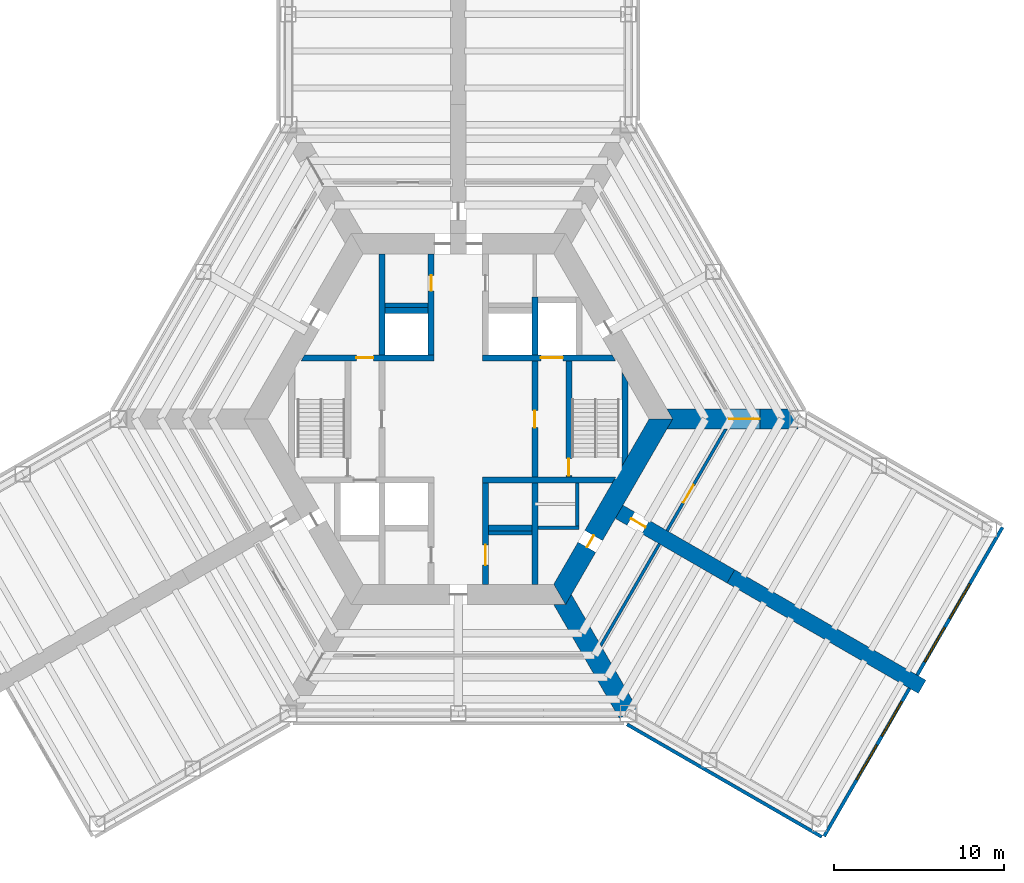
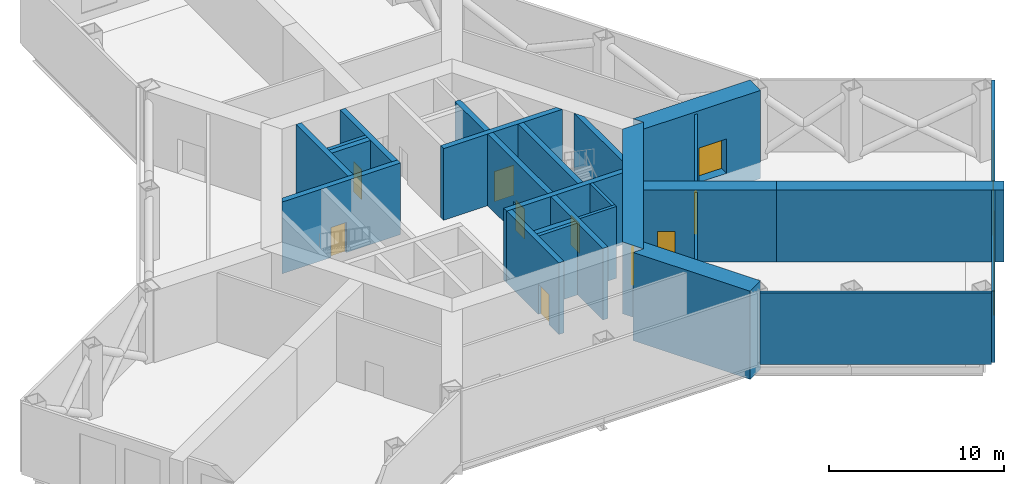
# One storey, part 5 of 8: 27 walls, 10 doors, 4 windows, 14 openings.
"""IFC4 building model written with IfcOpenShell, lengths in metres."""

import ifcopenshell
import ifcopenshell.guid

model = None  # the IFC model being written
_history = None  # IfcOwnerHistory: only IFC2X3 demands one
_inside = {}  # id of a spatial element -> (the spatial element, [elements in it])
_under = {}  # id of a project, library or spatial element -> (it, [spatial elements below it])
_declared = {}  # id of a project -> (the project, [libraries it declares])
_typed = {}  # id of a type object -> (the type object, [elements of that type])
_made_of = {}  # id of a material, layer set ... -> (it, [elements and type objects made of it])


def new_model(schema):
    """Start an empty IFC model of exactly this schema.

    Asked for "IFC4X3", IfcOpenShell would pick the latest addendum, in which some entities
    have other attributes; the version numbers below select the first issue.
    IFC2X3 requires an IfcOwnerHistory on every rooted entity: one is made here for all.
    """
    global model, _history
    if schema == "IFC4X3":
        model = ifcopenshell.file(schema_version=(4, 3, 0, 0))
    else:
        model = ifcopenshell.file(schema=schema)
    _inside.clear()
    _under.clear()
    _declared.clear()
    _typed.clear()
    _made_of.clear()
    _history = None
    if model.schema == "IFC2X3":
        org = make("IfcOrganization", Name="unknown")
        user = make(
            "IfcPersonAndOrganization",
            ThePerson=make("IfcPerson", FamilyName="unknown"),
            TheOrganization=org,
        )
        app = make(
            "IfcApplication",
            ApplicationDeveloper=org,
            Version="unknown",
            ApplicationFullName="unknown",
            ApplicationIdentifier="unknown",
        )
        _history = make(
            "IfcOwnerHistory",
            OwningUser=user,
            OwningApplication=app,
            ChangeAction="ADDED",
            CreationDate=0,
        )
    return model


def make(cls, **values):
    """One entity of the class cls with the attributes given. An attribute that is None is left unset."""
    return model.create_entity(
        cls, **{name: value for name, value in values.items() if value is not None}
    )


def rooted(cls, **values):
    """An entity with a GlobalId (a new one), such as an element, a storey or a relation."""
    return make(cls, GlobalId=ifcopenshell.guid.new(), OwnerHistory=_history, **values)


def si_unit(unit_type, name, prefix=None):
    """IfcSIUnit, for example si_unit("LENGTHUNIT", "METRE", prefix="MILLI")."""
    return make("IfcSIUnit", UnitType=unit_type, Prefix=prefix, Name=name)


def assignment(units):
    """IfcUnitAssignment: the units of a project."""
    return None if units is None else make("IfcUnitAssignment", Units=units)


def point(xyz):
    """IfcCartesianPoint."""
    return None if xyz is None else make("IfcCartesianPoint", Coordinates=xyz)


def direction(xyz):
    """IfcDirection."""
    return None if xyz is None else make("IfcDirection", DirectionRatios=xyz)


def frame(location, z_axis=None, x_axis=None):
    """IfcAxis2Placement3D, a coordinate frame: its origin and axes. An axis left out is left unset."""
    return make(
        "IfcAxis2Placement3D",
        Location=point(location),
        Axis=direction(z_axis),
        RefDirection=direction(x_axis),
    )


def frame_2d(location, x_axis=None):
    """IfcAxis2Placement2D, a coordinate frame in the plane: its origin and x axis."""
    return make(
        "IfcAxis2Placement2D", Location=point(location), RefDirection=direction(x_axis)
    )


def origin():
    """The frame at (0, 0, 0) with its axes left unset."""
    return frame((0.0, 0.0, 0.0))


def place(relative_to, where):
    """IfcLocalPlacement: puts the frame where relative to a parent placement (None: the world)."""
    return make(
        "IfcLocalPlacement", PlacementRelTo=relative_to, RelativePlacement=where
    )


def context(
    kind, dimensions, precision=None, world=None, true_north=None, identifier=None
):
    """IfcGeometricRepresentationContext, for example the 3D "Model" context."""
    return make(
        "IfcGeometricRepresentationContext",
        ContextIdentifier=identifier,
        ContextType=kind,
        CoordinateSpaceDimension=dimensions,
        Precision=precision,
        WorldCoordinateSystem=world,
        TrueNorth=true_north,
    )


def subcontext(parent, identifier, kind, view, scale=None):
    """IfcGeometricRepresentationSubContext, for example "Body" below "Model"."""
    return make(
        "IfcGeometricRepresentationSubContext",
        ContextIdentifier=identifier,
        ContextType=kind,
        ParentContext=parent,
        TargetScale=scale,
        TargetView=view,
    )


def project(units=None, contexts=None):
    """IfcProject with its units and contexts."""
    return rooted(
        "IfcProject",
        Name="project",
        RepresentationContexts=contexts,
        UnitsInContext=assignment(units),
    )


def spatial(cls, under=None, at=None, **own):
    """A site, building, storey or space (cls), placed at a placement, below another one or the project."""
    s = rooted(cls, ObjectPlacement=at, **own)
    if under is not None:
        _under.setdefault(under.id(), (under, []))[1].append(s)
    return s


def polyline(points):
    """IfcPolyline through the points."""
    return make("IfcPolyline", Points=[point(p) for p in points])


def profile(cls, at=None, kind="AREA", **sizes):
    """A parametric profile (cls). Its sizes go by their IFC names, for example OverallWidth=200.0."""
    return make(cls, ProfileType=kind, Position=at, **sizes)


def rectangle(**sizes):
    """IfcRectangleProfileDef."""
    return profile("IfcRectangleProfileDef", **sizes)


def outline(outer, holes=None, kind="AREA"):
    """IfcArbitraryClosedProfileDef: a profile drawn as a closed curve; with holes, ...WithVoids."""
    if holes is None:
        return make("IfcArbitraryClosedProfileDef", ProfileType=kind, OuterCurve=outer)
    return make(
        "IfcArbitraryProfileDefWithVoids",
        ProfileType=kind,
        OuterCurve=outer,
        InnerCurves=holes,
    )


def extrude(swept, where, along, depth):
    """IfcExtrudedAreaSolid: the profile swept, set in the frame where, extruded along a direction by depth."""
    return make(
        "IfcExtrudedAreaSolid",
        SweptArea=swept,
        Position=where,
        ExtrudedDirection=direction(along),
        Depth=depth,
    )


def shape(context_of_items, identifier, shape_type, items):
    """IfcShapeRepresentation: the items that make up one representation, for example the "Body"."""
    return make(
        "IfcShapeRepresentation",
        ContextOfItems=context_of_items,
        RepresentationIdentifier=identifier,
        RepresentationType=shape_type,
        Items=items,
    )


def material(Name=None, Category=None):
    """IfcMaterial."""
    return make("IfcMaterial", Name=Name, Category=Category)


def layer(
    of_material, thickness, ventilated=None, Name=None, Category=None, Priority=None
):
    """IfcMaterialLayer: one layer of a wall or slab, of a material (None: an air gap)."""
    return make(
        "IfcMaterialLayer",
        Material=of_material,
        LayerThickness=thickness,
        IsVentilated=ventilated,
        Name=Name,
        Category=Category,
        Priority=Priority,
    )


def layer_set(layers, Name=None):
    """IfcMaterialLayerSet."""
    return make("IfcMaterialLayerSet", MaterialLayers=layers, LayerSetName=Name)


def made_of(thing, what):
    """Note that an element or type object is made of a material, layer set ...; save() writes the relation."""
    if what is not None:
        _made_of.setdefault(what.id(), (what, []))[1].append(thing)
    return thing


def type_object(cls, material=None, **own):
    """A type object (cls), such as IfcWallType, which elements share."""
    return made_of(rooted(cls, **own), material)


def element(
    cls,
    number,
    at=None,
    inside=None,
    cuts=None,
    type_object=None,
    material=None,
    context=None,
    identifier="Body",
    shape_type=None,
    held_by="IfcProductDefinitionShape",
    body=None,
    shapes=None,
    **own,
):
    """One element of the class cls, such as IfcWall. Its Tag is "e" and its number.

    at: its placement. inside: the storey or other place that contains it. cuts: it is an
    opening in that element (IfcRelVoidsElement). A single representation is given by context,
    identifier, shape_type and body (its items); several are given by shapes. held_by: the class
    of the entity that holds the representations. save() writes the other relations.
    """
    e = rooted(cls, Tag="e%d" % number, ObjectPlacement=at, **own)
    if body is not None:
        shapes = [shape(context, identifier, shape_type, body)]
    if shapes is not None:
        e.Representation = make(held_by, Representations=shapes)
    if inside is not None:
        _inside.setdefault(inside.id(), (inside, []))[1].append(e)
    if cuts is not None:
        rooted(
            "IfcRelVoidsElement", RelatingBuildingElement=cuts, RelatedOpeningElement=e
        )
    if type_object is not None:
        _typed.setdefault(type_object.id(), (type_object, []))[1].append(e)
    return made_of(e, material)


def fill(opening, filler):
    """IfcRelFillsElement: the door or window that sits in an opening."""
    return rooted(
        "IfcRelFillsElement",
        RelatingOpeningElement=opening,
        RelatedBuildingElement=filler,
    )


def aggregate(whole, parts):
    """IfcRelAggregates: a whole, such as a stair, and the parts it consists of."""
    return rooted("IfcRelAggregates", RelatingObject=whole, RelatedObjects=parts)


def save(model, path):
    """Write the relations noted so far, then the file.

    IfcRelAggregates (storeys below a building ...), IfcRelContainedInSpatialStructure (elements
    in a storey), IfcRelDefinesByType, IfcRelAssociatesMaterial and IfcRelDeclares: one each for
    every whole, place, type object, material and project.
    """
    for whole, parts in _under.values():
        aggregate(whole, parts)
    for where, things in _inside.values():
        rooted(
            "IfcRelContainedInSpatialStructure",
            RelatedElements=things,
            RelatingStructure=where,
        )
    for kind, things in _typed.values():
        rooted("IfcRelDefinesByType", RelatedObjects=things, RelatingType=kind)
    for what, things in _made_of.values():
        rooted("IfcRelAssociatesMaterial", RelatedObjects=things, RelatingMaterial=what)
    for by, libraries in _declared.values():
        rooted("IfcRelDeclares", RelatingContext=by, RelatedDefinitions=libraries)
    model.write(path)


model = new_model("IFC4")

# Units and contexts
model_context = context("Model", 3, precision=1e-05, world=origin(), true_north=direction((0.0, 1.0)))
body_context = subcontext(model_context, "Body", "Model", "MODEL_VIEW")
ifc_project = project(units=[si_unit("LENGTHUNIT", "METRE"), si_unit("AREAUNIT", "SQUARE_METRE"), si_unit("VOLUMEUNIT", "CUBIC_METRE"), si_unit("PLANEANGLEUNIT", "RADIAN"), si_unit("MASSUNIT", "GRAM", prefix="KILO")], contexts=[model_context])

# Site, building, storey
site_placement = place(None, origin())
site = spatial("IfcSite", under=ifc_project, at=site_placement, CompositionType="ELEMENT")
building_placement = place(site_placement, origin())
building = spatial("IfcBuilding", under=site, at=building_placement, Name="Kasaneha Research Tower", CompositionType="ELEMENT")
storey_placement = place(building_placement, frame((0.0, 0.0, 52.0)))
storey = spatial("IfcBuildingStorey", under=building, at=storey_placement, Name="L13", CompositionType="ELEMENT", Elevation=52.0)

# Wall, opening, door
ifc_material_1 = material(Name="Concrete Fc100", Category="concrete")
ifc_layer_1 = layer(ifc_material_1, 0.35009765625)
ifc_layer_set_1 = layer_set([ifc_layer_1], Name="Core internal wall 350 Fc100")
wall_type_1 = type_object("IfcWallType", Name="Core internal wall 350 Fc100", PredefinedType="SHEAR", material=ifc_layer_set_1)
wall_1_placement = place(storey_placement, frame((-9.151123046875, 3.60009765625, 0.0), z_axis=(0.0, 0.0, 1.0), x_axis=(1.0, 0.0, 0.0)))
wall_1 = element("IfcWall", 1, at=wall_1_placement, inside=storey, type_object=wall_type_1, Name="Core wall W1W L13", PredefinedType="SHEAR", context=body_context, shape_type="SweptSolid", body=[
    extrude(outline(polyline([(-0.10107421875, -0.175048828125), (3.151123046875, -0.175048828125), (4.151123046875, -0.175048828125), (7.72607421875, -0.175048828125), (7.72607421875, 0.175048828125), (4.151123046875, 0.175048828125), (3.151123046875, 0.175048828125), (0.10107421875, 0.175048828125), (-0.10107421875, -0.175048828125)])), origin(), (0.0, 0.0, 1.0), 5.0),
])
opening_1_placement = place(wall_1_placement, frame((3.151123046875, 0.0, 0.0)))
opening_1 = element("IfcOpeningElement", 2, at=opening_1_placement, cuts=wall_1, Name="Opening L13-D12", PredefinedType="OPENING", context=body_context, shape_type="SweptSolid", body=[
    extrude(rectangle(XDim=1.0, YDim=2.10009765625, at=frame_2d((0.5, 1.050048828125))), frame((0.0, 0.18505859375, 0.0), z_axis=(0.0, -1.0, 0.0), x_axis=(1.0, 0.0, 0.0)), (0.0, 0.0, 1.0), 0.3701171875),
])
ifc_material_2 = material(Name="Steel", Category="steel")
door_type_1 = type_object("IfcDoorType", Name="Specified fire door FD60 1000x2100", OperationType="NOTDEFINED", PredefinedType="DOOR", material=ifc_material_2)
door_1_placement = place(opening_1_placement, origin())
door_1 = element("IfcDoor", 3, at=door_1_placement, inside=storey, type_object=door_type_1, Name="Vestibule to lobby door L13-D12", OperationType="SINGLE_SWING_LEFT", OverallHeight=2.10009765625, OverallWidth=1.0, PredefinedType="DOOR", context=body_context, shape_type="SweptSolid", body=[
    extrude(rectangle(XDim=1.0, YDim=2.10009765625, at=frame_2d((0.5, 1.050048828125))), frame((0.0, 0.02490234375, 0.0), z_axis=(0.0, -1.0, 0.0), x_axis=(1.0, 0.0, 0.0)), (0.0, 0.0, 1.0), 0.050048828125),
])
fill(opening_1, door_1)

wall_2_placement = place(storey_placement, frame((1.425048828125, 3.60009765625, 0.0), z_axis=(0.0, 0.0, 1.0), x_axis=(1.0, 0.0, 0.0)))
wall_2 = element("IfcWall", 4, at=wall_2_placement, inside=storey, type_object=wall_type_1, Name="Core wall W1E L13", PredefinedType="SHEAR", context=body_context, shape_type="SweptSolid", body=[
    extrude(outline(polyline([(0.0, -0.175048828125), (3.425048828125, -0.175048828125), (4.72509765625, -0.175048828125), (7.8271484375, -0.175048828125), (7.625, 0.175048828125), (4.72509765625, 0.175048828125), (3.425048828125, 0.175048828125), (0.0, 0.175048828125), (0.0, -0.175048828125)])), origin(), (0.0, 0.0, 1.0), 5.0),
])
opening_2_placement = place(wall_2_placement, frame((3.425048828125, 0.0, 0.0)))
opening_2 = element("IfcOpeningElement", 5, at=opening_2_placement, cuts=wall_2, Name="Opening LD-FL1-L13", PredefinedType="OPENING", context=body_context, shape_type="SweptSolid", body=[
    extrude(rectangle(XDim=1.300048828125, YDim=2.10009765625, at=frame_2d((0.64990234375, 1.050048828125))), frame((0.0, 0.18505859375, 0.0), z_axis=(0.0, -1.0, 0.0), x_axis=(1.0, 0.0, 0.0)), (0.0, 0.0, 1.0), 0.3701171875),
])
ifc_material_3 = material(Name="Steel", Category="steel")
door_type_2 = type_object("IfcDoorType", Name="Lift landing door 1300x2100", OperationType="DOUBLE_DOOR_SLIDING", PredefinedType="DOOR", material=ifc_material_3)
door_2_placement = place(opening_2_placement, origin())
door_2 = element("IfcDoor", 6, at=door_2_placement, inside=storey, type_object=door_type_2, Name="Landing door FL1 LD-FL1-L13", OperationType="DOUBLE_DOOR_SLIDING", OverallHeight=2.10009765625, OverallWidth=1.300048828125, PredefinedType="DOOR", context=body_context, shape_type="SweptSolid", body=[
    extrude(rectangle(XDim=1.300048828125, YDim=2.10009765625, at=frame_2d((0.64990234375, 1.050048828125))), frame((0.0, 0.02490234375, 0.0), z_axis=(0.0, -1.0, 0.0), x_axis=(1.0, 0.0, 0.0)), (0.0, 0.0, 1.0), 0.050048828125),
])
fill(opening_2, door_2)

# Wall
wall_3_placement = place(storey_placement, frame((1.425048828125, -3.60009765625, 0.0), z_axis=(0.0, 0.0, 1.0), x_axis=(1.0, 0.0, 0.0)))
element("IfcWall", 7, at=wall_3_placement, inside=storey, type_object=wall_type_1, Name="Core wall W2E L13", PredefinedType="SHEAR", context=body_context, shape_type="SweptSolid", body=[
    extrude(outline(polyline([(0.0, -0.175048828125), (7.625, -0.175048828125), (7.8271484375, 0.175048828125), (0.0, 0.175048828125), (0.0, -0.175048828125)])), origin(), (0.0, 0.0, 1.0), 5.0),
])

# Wall, opening, door
wall_4_placement = place(storey_placement, frame((-1.60009765625, 3.77490234375, 0.0), z_axis=(0.0, 0.0, 1.0), x_axis=(0.0, 1.0, 0.0)))
wall_4 = element("IfcWall", 8, at=wall_4_placement, inside=storey, type_object=wall_type_1, Name="Core wall CNW L13", PredefinedType="SHEAR", context=body_context, shape_type="SweptSolid", body=[
    extrude(rectangle(XDim=5.9501953125, YDim=0.35009765625, at=frame_2d((2.97509765625, 0.0))), origin(), (0.0, 0.0, 1.0), 5.0),
])
opening_3_placement = place(wall_4_placement, frame((3.77490234375, 0.0, 0.0)))
opening_3 = element("IfcOpeningElement", 9, at=opening_3_placement, cuts=wall_4, Name="Opening L13-D13", PredefinedType="OPENING", context=body_context, shape_type="SweptSolid", body=[
    extrude(rectangle(XDim=0.89990234375, YDim=2.10009765625, at=frame_2d((0.449951171875, 1.050048828125))), frame((0.0, 0.18505859375, 0.0), z_axis=(0.0, -1.0, 0.0), x_axis=(1.0, 0.0, 0.0)), (0.0, 0.0, 1.0), 0.3701171875),
])
ifc_material_4 = material(Name="Steel", Category="steel")
door_type_3 = type_object("IfcDoorType", Name="Toilet door FD20 900x2100", OperationType="NOTDEFINED", PredefinedType="DOOR", material=ifc_material_4)
door_3_placement = place(opening_3_placement, origin())
door_3 = element("IfcDoor", 10, at=door_3_placement, inside=storey, type_object=door_type_3, Name="Men's WC door L13-D13", OperationType="SINGLE_SWING_LEFT", OverallHeight=2.10009765625, OverallWidth=0.89990234375, PredefinedType="DOOR", context=body_context, shape_type="SweptSolid", body=[
    extrude(rectangle(XDim=0.89990234375, YDim=2.10009765625, at=frame_2d((0.449951171875, 1.050048828125))), frame((0.0, 0.02490234375, 0.0), z_axis=(0.0, -1.0, 0.0), x_axis=(1.0, 0.0, 0.0)), (0.0, 0.0, 1.0), 0.050048828125),
])
fill(opening_3, door_3)

wall_5_placement = place(storey_placement, frame((1.60009765625, -3.77490234375, 0.0), z_axis=(0.0, 0.0, 1.0), x_axis=(0.0, -1.0, 0.0)))
wall_5 = element("IfcWall", 11, at=wall_5_placement, inside=storey, type_object=wall_type_1, Name="Core wall CSE L13", PredefinedType="SHEAR", context=body_context, shape_type="SweptSolid", body=[
    extrude(rectangle(XDim=5.9501953125, YDim=0.35009765625, at=frame_2d((2.97509765625, 0.0))), origin(), (0.0, 0.0, 1.0), 5.0),
])
opening_4_placement = place(wall_5_placement, frame((3.625, 0.0, 0.0)))
opening_4 = element("IfcOpeningElement", 12, at=opening_4_placement, cuts=wall_5, Name="Opening L13-D15", PredefinedType="OPENING", context=body_context, shape_type="SweptSolid", body=[
    extrude(rectangle(XDim=1.199951171875, YDim=2.10009765625, at=frame_2d((0.60009765625, 1.050048828125))), frame((0.0, 0.18505859375, 0.0), z_axis=(0.0, -1.0, 0.0), x_axis=(1.0, 0.0, 0.0)), (0.0, 0.0, 1.0), 0.3701171875),
])
ifc_material_5 = material(Name="Steel", Category="steel")
door_type_4 = type_object("IfcDoorType", Name="Accessible toilet sliding door FD20 1200x2100", OperationType="SLIDING_TO_LEFT", PredefinedType="DOOR", material=ifc_material_5)
door_4_placement = place(opening_4_placement, origin())
door_4 = element("IfcDoor", 13, at=door_4_placement, inside=storey, type_object=door_type_4, Name="Accessible WC door L13-D15", OperationType="SLIDING_TO_LEFT", OverallHeight=2.10009765625, OverallWidth=1.199951171875, PredefinedType="DOOR", context=body_context, shape_type="SweptSolid", body=[
    extrude(rectangle(XDim=1.199951171875, YDim=2.10009765625, at=frame_2d((0.60009765625, 1.050048828125))), frame((0.0, 0.02490234375, 0.0), z_axis=(0.0, -1.0, 0.0), x_axis=(1.0, 0.0, 0.0)), (0.0, 0.0, 1.0), 0.050048828125),
])
fill(opening_4, door_4)

wall_6_placement = place(storey_placement, frame((4.5, -3.425048828125, 0.0), z_axis=(0.0, 0.0, 1.0), x_axis=(0.0, 1.0, 0.0)))
wall_6 = element("IfcWall", 14, at=wall_6_placement, inside=storey, type_object=wall_type_1, Name="Core wall LBE L13", PredefinedType="SHEAR", context=body_context, shape_type="SweptSolid", body=[
    extrude(rectangle(XDim=6.85009765625, YDim=0.35009765625, at=frame_2d((3.425048828125, 0.0))), origin(), (0.0, 0.0, 1.0), 5.0),
])
opening_5_placement = place(wall_6_placement, frame((2.925048828125, 0.0, 0.0)))
opening_5 = element("IfcOpeningElement", 15, at=opening_5_placement, cuts=wall_6, Name="Opening L13-D08", PredefinedType="OPENING", context=body_context, shape_type="SweptSolid", body=[
    extrude(rectangle(XDim=1.0, YDim=2.10009765625, at=frame_2d((0.5, 1.050048828125))), frame((0.0, 0.18505859375, 0.0), z_axis=(0.0, -1.0, 0.0), x_axis=(1.0, 0.0, 0.0)), (0.0, 0.0, 1.0), 0.3701171875),
])
door_5_placement = place(opening_5_placement, origin())
door_5 = element("IfcDoor", 16, at=door_5_placement, inside=storey, type_object=door_type_1, Name="Lift lobby door east L13-D08", OperationType="SINGLE_SWING_LEFT", OverallHeight=2.10009765625, OverallWidth=1.0, PredefinedType="DOOR", context=body_context, shape_type="SweptSolid", body=[
    extrude(rectangle(XDim=1.0, YDim=2.10009765625, at=frame_2d((0.5, 1.050048828125))), frame((0.0, 0.02490234375, 0.0), z_axis=(0.0, -1.0, 0.0), x_axis=(1.0, 0.0, 0.0)), (0.0, 0.0, 1.0), 0.050048828125),
])
fill(opening_5, door_5)

wall_7_placement = place(storey_placement, frame((6.5, -3.425048828125, 0.0), z_axis=(0.0, 0.0, 1.0), x_axis=(0.0, 1.0, 0.0)))
wall_7 = element("IfcWall", 17, at=wall_7_placement, inside=storey, type_object=wall_type_1, Name="Core wall ANE L13", PredefinedType="SHEAR", context=body_context, shape_type="SweptSolid", body=[
    extrude(rectangle(XDim=6.85009765625, YDim=0.35009765625, at=frame_2d((3.425048828125, 0.0))), origin(), (0.0, 0.0, 1.0), 5.0),
])
opening_6_placement = place(wall_7_placement, frame((0.10009765625, 0.0, 0.0)))
opening_6 = element("IfcOpeningElement", 18, at=opening_6_placement, cuts=wall_7, Name="Opening L13-D10", PredefinedType="OPENING", context=body_context, shape_type="SweptSolid", body=[
    extrude(rectangle(XDim=1.0, YDim=2.10009765625, at=frame_2d((0.5, 1.050048828125))), frame((0.0, 0.18505859375, 0.0), z_axis=(0.0, -1.0, 0.0), x_axis=(1.0, 0.0, 0.0)), (0.0, 0.0, 1.0), 0.3701171875),
])
door_6_placement = place(opening_6_placement, origin())
door_6 = element("IfcDoor", 19, at=door_6_placement, inside=storey, type_object=door_type_1, Name="Stair 1 door L13-D10", OperationType="SINGLE_SWING_LEFT", OverallHeight=2.10009765625, OverallWidth=1.0, PredefinedType="DOOR", context=body_context, shape_type="SweptSolid", body=[
    extrude(rectangle(XDim=1.0, YDim=2.10009765625, at=frame_2d((0.5, 1.050048828125))), frame((0.0, 0.02490234375, 0.0), z_axis=(0.0, -1.0, 0.0), x_axis=(1.0, 0.0, 0.0)), (0.0, 0.0, 1.0), 0.050048828125),
])
fill(opening_6, door_6)

# Walls
wall_8_placement = place(storey_placement, frame((-4.5, 3.77490234375, 0.0), z_axis=(0.0, 0.0, 1.0), x_axis=(0.0, 1.0, 0.0)))
element("IfcWall", 20, at=wall_8_placement, inside=storey, type_object=wall_type_1, Name="Core wall VNW L13", PredefinedType="SHEAR", context=body_context, shape_type="SweptSolid", body=[
    extrude(rectangle(XDim=5.9501953125, YDim=0.35009765625, at=frame_2d((2.97509765625, 0.0))), origin(), (0.0, 0.0, 1.0), 5.0),
])
wall_9_placement = place(storey_placement, frame((4.5, 3.77490234375, 0.0), z_axis=(0.0, 0.0, 1.0), x_axis=(0.0, 1.0, 0.0)))
element("IfcWall", 21, at=wall_9_placement, inside=storey, type_object=wall_type_1, Name="Core wall FNE L13", PredefinedType="SHEAR", context=body_context, shape_type="SweptSolid", body=[
    extrude(rectangle(XDim=3.400146484375, YDim=0.35009765625, at=frame_2d((1.7001953125, 0.0))), origin(), (0.0, 0.0, 1.0), 5.0),
])
wall_10_placement = place(storey_placement, frame((4.5, -3.77490234375, 0.0), z_axis=(0.0, 0.0, 1.0), x_axis=(0.0, -1.0, 0.0)))
element("IfcWall", 22, at=wall_10_placement, inside=storey, type_object=wall_type_1, Name="Core wall SSE L13", PredefinedType="SHEAR", context=body_context, shape_type="SweptSolid", body=[
    extrude(rectangle(XDim=5.9501953125, YDim=0.35009765625, at=frame_2d((2.97509765625, 0.0))), origin(), (0.0, 0.0, 1.0), 5.0),
])
for number, where, z_axis, x_axis, name in (
    (23, (-4.324951171875, 6.39990234375, 0.0), (0.0, 0.0, 1.0), (1.0, 0.0, 0.0), "Core wall N1N L13"),
    (24, (1.77490234375, -6.39990234375, 0.0), (0.0, 0.0, 1.0), (1.0, 0.0, 0.0), "Core wall S3S L13"),
):
    element("IfcWall", number, at=place(storey_placement, frame(where, z_axis=z_axis, x_axis=x_axis)), inside=storey, type_object=wall_type_1, Name=name, PredefinedType="SHEAR", context=body_context, shape_type="SweptSolid", body=[
        extrude(rectangle(XDim=2.550048828125, YDim=0.35009765625, at=frame_2d((1.27490234375, 0.0))), origin(), (0.0, 0.0, 1.0), 5.0),
    ])
wall_11_placement = place(storey_placement, frame((9.807861328125, -2.462158203125, 0.0), z_axis=(0.0, 0.0, 1.0), x_axis=(0.0, 1.0, 0.0)))
element("IfcWall", 25, at=wall_11_placement, inside=storey, type_object=wall_type_1, Name="Core wall STE L13", PredefinedType="SHEAR", context=body_context, shape_type="SweptSolid", body=[
    extrude(outline(polyline([(0.30322265625, -0.175048828125), (4.62109375, -0.175048828125), (5.2275390625, 0.175048828125), (-0.30322265625, 0.175048828125), (0.30322265625, -0.175048828125)])), origin(), (0.0, 0.0, 1.0), 5.0),
])

# Wall, opening, door
ifc_material_6 = material(Name="Concrete Fc100", Category="concrete")
ifc_layer_2 = layer(ifc_material_6, 1.199951171875)
ifc_layer_set_2 = layer_set([ifc_layer_2], Name="Core wall 1200 Fc100")
wall_type_2 = type_object("IfcWallType", Name="Core wall 1200 Fc100", PredefinedType="SHEAR", material=ifc_layer_set_2)
wall_12_placement = place(storey_placement, frame((5.961181640625, -10.324951171875, 0.0), z_axis=(0.0, 0.0, 1.0), x_axis=(0.500004296715, 0.866022923061, 0.0)))
wall_12 = element("IfcWall", 26, at=wall_12_placement, inside=storey, type_object=wall_type_2, Name="Core wall 330 L13", PredefinedType="SHEAR", context=body_context, shape_type="SweptSolid", body=[
    extrude(outline(polyline([(-0.346435546875, -0.60009765625), (3.20849609375, -0.60009765625), (4.008544921875, -0.60009765625), (12.268798828125, -0.60009765625), (11.575927734375, 0.60009765625), (4.008544921875, 0.60009765625), (3.20849609375, 0.60009765625), (0.346435546875, 0.60009765625), (-0.346435546875, -0.60009765625)])), origin(), (0.0, 0.0, 1.0), 5.0),
])
opening_7_placement = place(wall_12_placement, frame((3.20849609375, 0.0, 0.0)))
opening_7 = element("IfcOpeningElement", 27, at=opening_7_placement, cuts=wall_12, Name="Opening L13-D05", PredefinedType="OPENING", context=body_context, shape_type="SweptSolid", body=[
    extrude(rectangle(XDim=0.800048828125, YDim=2.10009765625, at=frame_2d((0.39990234375, 1.050048828125))), frame((0.0, 0.60986328125, 0.0), z_axis=(0.0, -1.0, 0.0), x_axis=(1.0, 0.0, 0.0)), (0.0, 0.0, 1.0), 1.219970703125),
])
ifc_material_7 = material(Name="Steel", Category="steel")
door_type_5 = type_object("IfcDoorType", Name="Riser access door FD60 800x2100", OperationType="NOTDEFINED", PredefinedType="DOOR", material=ifc_material_7)
door_7_placement = place(opening_7_placement, origin())
door_7 = element("IfcDoor", 28, at=door_7_placement, inside=storey, type_object=door_type_5, Name="Pipe riser door L13-D05", OperationType="SINGLE_SWING_LEFT", OverallHeight=2.10009765625, OverallWidth=0.800048828125, PredefinedType="DOOR", context=body_context, shape_type="SweptSolid", body=[
    extrude(rectangle(XDim=0.800048828125, YDim=2.10009765625, at=frame_2d((0.39990234375, 1.050048828125))), frame((0.0, 0.02490234375, 0.0), z_axis=(0.0, -1.0, 0.0), x_axis=(1.0, 0.0, 0.0)), (0.0, 0.0, 1.0), 0.050048828125),
])
fill(opening_7, door_7)

# Walls
ifc_material_8 = material(Name="Concrete block", Category="concrete")
ifc_layer_3 = layer(ifc_material_8, 0.199951171875)
ifc_layer_set_3 = layer_set([ifc_layer_3], Name="Lift shaft wall 200")
wall_type_3 = type_object("IfcWallType", Name="Lift shaft wall 200", PredefinedType="STANDARD", material=ifc_layer_set_3)
wall_13_placement = place(storey_placement, frame((4.675048828125, -6.39990234375, 0.0), z_axis=(0.0, 0.0, 1.0), x_axis=(1.0, 0.0, 0.0)))
element("IfcWall", 29, at=wall_13_placement, inside=storey, type_object=wall_type_3, Name="Lift shaft wall P1S L13", PredefinedType="STANDARD", context=body_context, shape_type="SweptSolid", body=[
    extrude(rectangle(XDim=2.425048828125, YDim=0.199951171875, at=frame_2d((1.21240234375, 0.0))), origin(), (0.0, 0.0, 1.0), 5.0),
])
wall_14_placement = place(storey_placement, frame((7.0, -3.77490234375, 0.0), z_axis=(0.0, 0.0, 1.0), x_axis=(0.0, -1.0, 0.0)))
element("IfcWall", 30, at=wall_14_placement, inside=storey, type_object=wall_type_3, Name="Lift shaft wall P1E L13", PredefinedType="STANDARD", context=body_context, shape_type="SweptSolid", body=[
    extrude(rectangle(XDim=2.525146484375, YDim=0.199951171875, at=frame_2d((1.2626953125, 0.0))), origin(), (0.0, 0.0, 1.0), 5.0),
])
ifc_material_9 = material(Name="Terracotta cladding on steel frame", Category="masonry")
ifc_layer_4 = layer(ifc_material_9, 0.199951171875)
ifc_layer_set_4 = layer_set([ifc_layer_4], Name="Louvred plant wall 200")
wall_type_4 = type_object("IfcWallType", Name="Louvred plant wall 200", PredefinedType="ELEMENTEDWALL", material=ifc_layer_set_4)
wall_15_placement = place(storey_placement, frame((9.92578125, -17.970458984375, 0.0), z_axis=(0.0, 0.0, 1.0), x_axis=(0.86602620781, -0.499998607384, 0.0)))
element("IfcWall", 31, at=wall_15_placement, inside=storey, type_object=wall_type_4, Name="Louvred plant wall L13", PredefinedType="ELEMENTEDWALL", context=body_context, shape_type="SweptSolid", body=[
    extrude(rectangle(XDim=13.2392578125, YDim=0.199951171875, at=frame_2d((6.61962890625, 0.0))), origin(), (0.0, 0.0, 1.0), 5.0),
])

# Wall, openings, windows
wall_16_placement = place(storey_placement, frame((21.52783203125, -24.553466796875, 0.0), z_axis=(0.0, 0.0, 1.0), x_axis=(0.500008433718, 0.866020534521, 0.0)))
wall_16 = element("IfcWall", 32, at=wall_16_placement, inside=storey, type_object=wall_type_4, Name="Louvred plant wall L13", PredefinedType="ELEMENTEDWALL", context=body_context, shape_type="SweptSolid", body=[
    extrude(rectangle(XDim=10.050048828125, YDim=0.199951171875, at=frame_2d((5.02490234375, 0.0))), origin(), (0.0, 0.0, 1.0), 5.0),
])
opening_8_placement = place(wall_16_placement, frame((3.85009765625, 0.0, 0.60009765625)))
opening_8 = element("IfcOpeningElement", 33, at=opening_8_placement, cuts=wall_16, Name="Opening LV1", PredefinedType="OPENING", context=body_context, shape_type="SweptSolid", body=[
    extrude(rectangle(XDim=2.35009765625, YDim=3.60009765625, at=frame_2d((1.175048828125, 1.800048828125))), frame((0.0, 0.10986328125, 0.0), z_axis=(0.0, -1.0, 0.0), x_axis=(1.0, 0.0, 0.0)), (0.0, 0.0, 1.0), 0.219970703125),
])
opening_9_placement = place(wall_16_placement, frame((6.800048828125, 0.0, 0.60009765625)))
opening_9 = element("IfcOpeningElement", 34, at=opening_9_placement, cuts=wall_16, Name="Opening LV1", PredefinedType="OPENING", context=body_context, shape_type="SweptSolid", body=[
    extrude(rectangle(XDim=2.35009765625, YDim=3.60009765625, at=frame_2d((1.175048828125, 1.800048828125))), frame((0.0, 0.10986328125, 0.0), z_axis=(0.0, -1.0, 0.0), x_axis=(1.0, 0.0, 0.0)), (0.0, 0.0, 1.0), 0.219970703125),
])
ifc_material_10 = material(Name="Aluminium 6063-T6", Category="aluminium")
window_type = type_object("IfcWindowType", Name="Louvre 2350x3600", PartitioningType="SINGLE_PANEL", PredefinedType="USERDEFINED", material=ifc_material_10)
window_1_placement = place(opening_8_placement, origin())
window_1 = element("IfcWindow", 35, at=window_1_placement, inside=storey, type_object=window_type, Name="Plant louvre L13 2", ObjectType="LOUVRE", OverallHeight=3.60009765625, OverallWidth=2.35009765625, PartitioningType="SINGLE_PANEL", PredefinedType="USERDEFINED", context=body_context, shape_type="SweptSolid", body=[
    extrude(rectangle(XDim=2.35009765625, YDim=3.60009765625, at=frame_2d((1.175048828125, 1.800048828125))), frame((0.0, 0.030029296875, 0.0), z_axis=(0.0, -1.0, 0.0), x_axis=(1.0, 0.0, 0.0)), (0.0, 0.0, 1.0), 0.06005859375),
])
fill(opening_8, window_1)
window_2_placement = place(opening_9_placement, origin())
window_2 = element("IfcWindow", 36, at=window_2_placement, inside=storey, type_object=window_type, Name="Plant louvre L13 3", ObjectType="LOUVRE", OverallHeight=3.60009765625, OverallWidth=2.35009765625, PartitioningType="SINGLE_PANEL", PredefinedType="USERDEFINED", context=body_context, shape_type="SweptSolid", body=[
    extrude(rectangle(XDim=2.35009765625, YDim=3.60009765625, at=frame_2d((1.175048828125, 1.800048828125))), frame((0.0, 0.030029296875, 0.0), z_axis=(0.0, -1.0, 0.0), x_axis=(1.0, 0.0, 0.0)), (0.0, 0.0, 1.0), 0.06005859375),
])
fill(opening_9, window_2)

wall_17_placement = place(storey_placement, frame((27.0029296875, -15.070556640625, 0.0), z_axis=(0.0, 0.0, 1.0), x_axis=(0.499990214365, 0.86603105345, 0.0)))
wall_17 = element("IfcWall", 37, at=wall_17_placement, inside=storey, type_object=wall_type_4, Name="Louvred plant wall L13", PredefinedType="ELEMENTEDWALL", context=body_context, shape_type="SweptSolid", body=[
    extrude(rectangle(XDim=10.050048828125, YDim=0.199951171875, at=frame_2d((5.02490234375, 0.0))), origin(), (0.0, 0.0, 1.0), 5.0),
])
opening_10_placement = place(wall_17_placement, frame((0.89990234375, 0.0, 0.60009765625)))
opening_10 = element("IfcOpeningElement", 38, at=opening_10_placement, cuts=wall_17, Name="Opening LV1", PredefinedType="OPENING", context=body_context, shape_type="SweptSolid", body=[
    extrude(rectangle(XDim=2.35009765625, YDim=3.60009765625, at=frame_2d((1.175048828125, 1.800048828125))), frame((0.0, 0.10986328125, 0.0), z_axis=(0.0, -1.0, 0.0), x_axis=(1.0, 0.0, 0.0)), (0.0, 0.0, 1.0), 0.219970703125),
])
opening_11_placement = place(wall_17_placement, frame((3.85009765625, 0.0, 0.60009765625)))
opening_11 = element("IfcOpeningElement", 39, at=opening_11_placement, cuts=wall_17, Name="Opening LV1", PredefinedType="OPENING", context=body_context, shape_type="SweptSolid", body=[
    extrude(rectangle(XDim=2.35009765625, YDim=3.60009765625, at=frame_2d((1.175048828125, 1.800048828125))), frame((0.0, 0.10986328125, 0.0), z_axis=(0.0, -1.0, 0.0), x_axis=(1.0, 0.0, 0.0)), (0.0, 0.0, 1.0), 0.219970703125),
])
window_3_placement = place(opening_10_placement, origin())
window_3 = element("IfcWindow", 40, at=window_3_placement, inside=storey, type_object=window_type, Name="Plant louvre L13 1", ObjectType="LOUVRE", OverallHeight=3.60009765625, OverallWidth=2.35009765625, PartitioningType="SINGLE_PANEL", PredefinedType="USERDEFINED", context=body_context, shape_type="SweptSolid", body=[
    extrude(rectangle(XDim=2.35009765625, YDim=3.60009765625, at=frame_2d((1.175048828125, 1.800048828125))), frame((0.0, 0.030029296875, 0.0), z_axis=(0.0, -1.0, 0.0), x_axis=(1.0, 0.0, 0.0)), (0.0, 0.0, 1.0), 0.06005859375),
])
fill(opening_10, window_3)
window_4_placement = place(opening_11_placement, origin())
window_4 = element("IfcWindow", 41, at=window_4_placement, inside=storey, type_object=window_type, Name="Plant louvre L13 2", ObjectType="LOUVRE", OverallHeight=3.60009765625, OverallWidth=2.35009765625, PartitioningType="SINGLE_PANEL", PredefinedType="USERDEFINED", context=body_context, shape_type="SweptSolid", body=[
    extrude(rectangle(XDim=2.35009765625, YDim=3.60009765625, at=frame_2d((1.175048828125, 1.800048828125))), frame((0.0, 0.030029296875, 0.0), z_axis=(0.0, -1.0, 0.0), x_axis=(1.0, 0.0, 0.0)), (0.0, 0.0, 1.0), 0.06005859375),
])
fill(opening_11, window_4)

# Wall, opening, door
ifc_material_11 = material(Name="Concrete Fc100", Category="concrete")
ifc_layer_5 = layer(ifc_material_11, 1.199951171875)
ifc_layer_set_5 = layer_set([ifc_layer_5], Name="Outrigger wall 1200 Fc100")
wall_type_5 = type_object("IfcWallType", Name="Outrigger wall 1200 Fc100", PredefinedType="SHEAR", material=ifc_layer_set_5)
wall_18_placement = place(storey_placement, frame((12.614990234375, 0.0, -1.14990234375), z_axis=(0.0, 0.0, 1.0), x_axis=(1.0, 0.0, 0.0)))
wall_18 = element("IfcWall", 42, at=wall_18_placement, inside=storey, type_object=wall_type_5, Name="Outrigger wall 000 L13", PredefinedType="SHEAR", context=body_context, shape_type="SweptSolid", body=[
    extrude(outline(polyline([(-0.346435546875, -0.60009765625), (3.337646484375, -0.60009765625), (5.1376953125, -0.60009765625), (7.385009765625, -0.60009765625), (7.385009765625, 0.60009765625), (5.1376953125, 0.60009765625), (3.337646484375, 0.60009765625), (-0.346435546875, 0.60009765625), (0.0, 0.0), (-0.346435546875, -0.60009765625)])), origin(), (0.0, 0.0, 1.0), 6.14990234375),
])
opening_12_placement = place(wall_18_placement, frame((3.337646484375, 0.0, 1.14990234375)))
opening_12 = element("IfcOpeningElement", 43, at=opening_12_placement, cuts=wall_18, Name="Opening L13-D20", PredefinedType="OPENING", context=body_context, shape_type="SweptSolid", body=[
    extrude(rectangle(XDim=1.800048828125, YDim=2.39990234375, at=frame_2d((0.89990234375, 1.199951171875))), frame((0.0, 0.60986328125, 0.0), z_axis=(0.0, -1.0, 0.0), x_axis=(1.0, 0.0, 0.0)), (0.0, 0.0, 1.0), 1.219970703125),
])
ifc_material_12 = material(Name="Steel", Category="steel")
door_type_6 = type_object("IfcDoorType", Name="Plant room double door FD60 1800x2400", OperationType="DOUBLE_DOOR_SINGLE_SWING", PredefinedType="DOOR", material=ifc_material_12)
door_8_placement = place(opening_12_placement, origin())
door_8 = element("IfcDoor", 44, at=door_8_placement, inside=storey, type_object=door_type_6, Name="Plant room door L13-D20", OperationType="DOUBLE_DOOR_SINGLE_SWING", OverallHeight=2.39990234375, OverallWidth=1.800048828125, PredefinedType="DOOR", context=body_context, shape_type="SweptSolid", body=[
    extrude(rectangle(XDim=1.800048828125, YDim=2.39990234375, at=frame_2d((0.89990234375, 1.199951171875))), frame((0.0, 0.02490234375, 0.0), z_axis=(0.0, -1.0, 0.0), x_axis=(1.0, 0.0, 0.0)), (0.0, 0.0, 1.0), 0.050048828125),
])
fill(opening_12, door_8)

# Wall
wall_19_placement = place(storey_placement, frame((6.3076171875, -10.925048828125, -1.14990234375), z_axis=(0.0, 0.0, 1.0), x_axis=(0.499993363642, -0.866029235253, 0.0)))
element("IfcWall", 45, at=wall_19_placement, inside=storey, type_object=wall_type_5, Name="Outrigger wall 300 L13", PredefinedType="SHEAR", context=body_context, shape_type="SweptSolid", body=[
    extrude(outline(polyline([(-0.346435546875, -0.60009765625), (7.384765625, -0.60009765625), (7.384765625, 0.60009765625), (-0.346435546875, 0.60009765625), (0.0, 0.0), (-0.346435546875, -0.60009765625)])), origin(), (0.0, 0.0, 1.0), 6.14990234375),
])

# Wall, opening, door
ifc_material_13 = material(Name="Gypsum board on steel studs, two layers each side", Category="steel")
ifc_layer_6 = layer(ifc_material_13, 0.175048828125)
ifc_layer_set_6 = layer_set([ifc_layer_6], Name="Refuge fire partition 175")
wall_type_6 = type_object("IfcWallType", Name="Refuge fire partition 175", PredefinedType="PARTITIONING", material=ifc_layer_set_6)
wall_20_placement = place(storey_placement, frame((12.286865234375, -6.568603515625, 0.0), z_axis=(0.0, 0.0, 1.0), x_axis=(0.49998719302, 0.866032797772, 0.0)))
wall_20 = element("IfcWall", 46, at=wall_20_placement, inside=storey, type_object=wall_type_6, Name="Refuge fire partition RFCE01 L13", PredefinedType="PARTITIONING", context=body_context, shape_type="SweptSolid", body=[
    extrude(outline(polyline([(0.0, -0.08740234375), (1.900146484375, -0.08740234375), (3.10009765625, -0.08740234375), (6.9423828125, -0.08740234375), (6.84130859375, 0.08740234375), (3.10009765625, 0.08740234375), (1.900146484375, 0.08740234375), (0.0, 0.08740234375), (0.0, -0.08740234375)])), origin(), (0.0, 0.0, 1.0), 4.830078125),
])
opening_13_placement = place(wall_20_placement, frame((1.900146484375, 0.0, 0.0)))
opening_13 = element("IfcOpeningElement", 47, at=opening_13_placement, cuts=wall_20, Name="Opening L13-D27", PredefinedType="OPENING", context=body_context, shape_type="SweptSolid", body=[
    extrude(rectangle(XDim=1.199951171875, YDim=2.10009765625, at=frame_2d((0.60009765625, 1.050048828125))), frame((0.0, 0.09765625, 0.0), z_axis=(0.0, -1.0, 0.0), x_axis=(1.0, 0.0, 0.0)), (0.0, 0.0, 1.0), 0.195068359375),
])
ifc_material_14 = material(Name="Steel", Category="steel")
door_type_7 = type_object("IfcDoorType", Name="Laboratory door FD60 1200x2100", OperationType="DOUBLE_DOOR_SINGLE_SWING", PredefinedType="DOOR", material=ifc_material_14)
door_9_placement = place(opening_13_placement, origin())
door_9 = element("IfcDoor", 48, at=door_9_placement, inside=storey, type_object=door_type_7, Name="Plant room door L13-D27", OperationType="DOUBLE_DOOR_SINGLE_SWING", OverallHeight=2.10009765625, OverallWidth=1.199951171875, PredefinedType="DOOR", context=body_context, shape_type="SweptSolid", body=[
    extrude(rectangle(XDim=1.199951171875, YDim=2.10009765625, at=frame_2d((0.60009765625, 1.050048828125))), frame((0.0, 0.02490234375, 0.0), z_axis=(0.0, -1.0, 0.0), x_axis=(1.0, 0.0, 0.0)), (0.0, 0.0, 1.0), 0.050048828125),
])
fill(opening_13, door_9)

# Wall
wall_21_placement = place(storey_placement, frame((8.385986328125, -13.324951171875, 0.0), z_axis=(0.0, 0.0, 1.0), x_axis=(0.49998719302, 0.866032797772, 0.0)))
element("IfcWall", 49, at=wall_21_placement, inside=storey, type_object=wall_type_6, Name="Refuge fire partition RFCS02 L13", PredefinedType="PARTITIONING", context=body_context, shape_type="SweptSolid", body=[
    extrude(outline(polyline([(-0.050537109375, -0.08740234375), (6.891845703125, -0.08740234375), (6.891845703125, 0.08740234375), (0.050537109375, 0.08740234375), (-0.050537109375, -0.08740234375)])), origin(), (0.0, 0.0, 1.0), 4.830078125),
])

# Wall, opening, door
ifc_material_15 = material(Name="Concrete Fc100", Category="concrete")
ifc_layer_7 = layer(ifc_material_15, 0.89990234375)
ifc_layer_set_7 = layer_set([ifc_layer_7], Name="Spine wall 900 Fc100")
wall_type_7 = type_object("IfcWallType", Name="Spine wall 900 Fc100", PredefinedType="SHEAR", material=ifc_layer_set_7)
wall_22_placement = place(storey_placement, frame((9.46142578125, -5.46240234375, 0.0), z_axis=(0.0, 0.0, 1.0), x_axis=(0.866019116917, -0.500010889016, 0.0)))
wall_22 = element("IfcWall", 50, at=wall_22_placement, inside=storey, type_object=wall_type_7, Name="Spine wall C L13", PredefinedType="SHEAR", context=body_context, shape_type="SweptSolid", body=[
    extrude(rectangle(XDim=7.595458984375, YDim=0.89990234375, at=frame_2d((3.7978515625, 0.0))), origin(), (0.0, 0.0, 1.0), 5.0),
])
opening_14_placement = place(wall_22_placement, frame((0.800048828125, 0.0, 0.0)))
opening_14 = element("IfcOpeningElement", 51, at=opening_14_placement, cuts=wall_22, Name="Opening L13-D19", PredefinedType="OPENING", context=body_context, shape_type="SweptSolid", body=[
    extrude(rectangle(XDim=1.0, YDim=2.10009765625, at=frame_2d((0.5, 1.050048828125))), frame((0.0, 0.4599609375, 0.0), z_axis=(0.0, -1.0, 0.0), x_axis=(1.0, 0.0, 0.0)), (0.0, 0.0, 1.0), 0.919921875),
])
door_10_placement = place(opening_14_placement, origin())
door_10 = element("IfcDoor", 52, at=door_10_placement, inside=storey, type_object=door_type_1, Name="Spine doorway C L13-D19", OperationType="SINGLE_SWING_LEFT", OverallHeight=2.10009765625, OverallWidth=1.0, PredefinedType="DOOR", context=body_context, shape_type="SweptSolid", body=[
    extrude(rectangle(XDim=1.0, YDim=2.10009765625, at=frame_2d((0.5, 1.050048828125))), frame((0.0, 0.02490234375, 0.0), z_axis=(0.0, -1.0, 0.0), x_axis=(1.0, 0.0, 0.0)), (0.0, 0.0, 1.0), 0.050048828125),
])
fill(opening_14, door_10)

# Walls
wall_23_placement = place(storey_placement, frame((16.039306640625, -9.26025390625, 0.0), z_axis=(0.0, 0.0, 1.0), x_axis=(0.866024837091, -0.50000098154, 0.0)))
element("IfcWall", 53, at=wall_23_placement, inside=storey, type_object=wall_type_7, Name="Spine wall C wing L13", PredefinedType="SHEAR", context=body_context, shape_type="SweptSolid", body=[
    extrude(rectangle(XDim=13.0, YDim=0.89990234375, at=frame_2d((6.5, 0.0))), origin(), (0.0, 0.0, 1.0), 5.0),
])
ifc_material_16 = material(Name="Concrete block lining", Category="concrete")
ifc_layer_8 = layer(ifc_material_16, 0.25)
ifc_layer_set_8 = layer_set([ifc_layer_8], Name="WC plumbing wall 250")
wall_type_8 = type_object("IfcWallType", Name="WC plumbing wall 250", PredefinedType="PLUMBINGWALL", material=ifc_layer_set_8)
for number, where, z_axis, x_axis, name in (
    (54, (-4.324951171875, 6.699951171875, 0.0), (0.0, 0.0, 1.0), (1.0, 0.0, 0.0), "WC plumbing wall M L13"),
    (55, (1.77490234375, -6.699951171875, 0.0), (0.0, 0.0, 1.0), (1.0, 0.0, 0.0), "WC plumbing wall A L13"),
):
    element("IfcWall", number, at=place(storey_placement, frame(where, z_axis=z_axis, x_axis=x_axis)), inside=storey, type_object=wall_type_8, Name=name, PredefinedType="PLUMBINGWALL", context=body_context, shape_type="SweptSolid", body=[
        extrude(rectangle(XDim=2.550048828125, YDim=0.25, at=frame_2d((1.27490234375, 0.0))), origin(), (0.0, 0.0, 1.0), 5.0),
    ])

save(model, "model.ifc")
